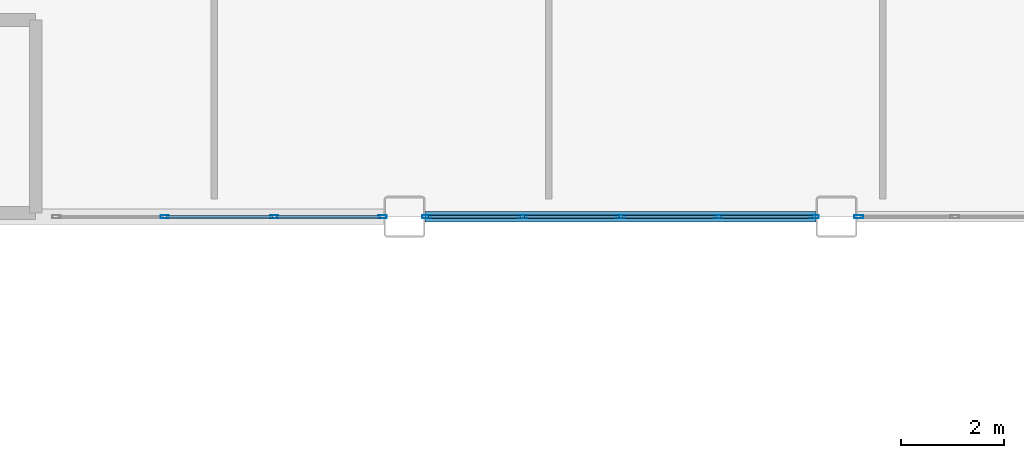
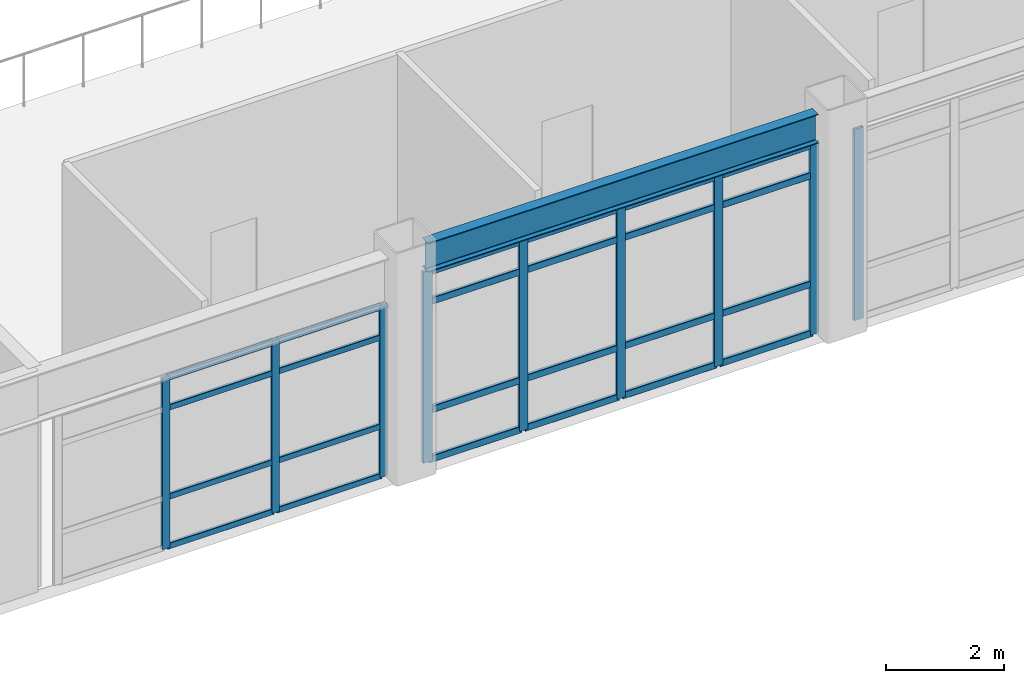
# One storey, part 27 of 154: 33 members, 1 beam, 3 elements without a shape of their own.
"""IFC4 building model written with IfcOpenShell, lengths in metres."""

from ifc_helpers import new_model, si_unit, direction, frame, origin, origin_2d, place, context, subcontext, project, spatial, hollow_rectangle, i_section, extrude, material, layer, layer_set, material_profile, profile_set, type_object, element, aggregate, save


model = new_model("IFC4")

# Units and contexts
model_context = context("Model", 3, precision=1e-05, world=origin(), true_north=direction((0.0, 1.0)))
body_context = subcontext(model_context, "Body", "Model", "MODEL_VIEW")
ifc_project = project(units=[si_unit("LENGTHUNIT", "METRE"), si_unit("AREAUNIT", "SQUARE_METRE"), si_unit("VOLUMEUNIT", "CUBIC_METRE"), si_unit("PLANEANGLEUNIT", "RADIAN"), si_unit("MASSUNIT", "GRAM", prefix="KILO")], contexts=[model_context])

# Site, building, storey
site_placement = place(None, origin())
site = spatial("IfcSite", under=ifc_project, at=site_placement, CompositionType="ELEMENT")
building_placement = place(site_placement, origin())
building = spatial("IfcBuilding", under=site, at=building_placement, Name="Kazehara Bluff Congress Hotel", CompositionType="ELEMENT")
storey_placement = place(building_placement, frame((0.0, 0.0, 10.199951171875)))
storey = spatial("IfcBuildingStorey", under=building, at=storey_placement, Name="L02", CompositionType="ELEMENT", Elevation=10.199951171875)

# Curtain wall, members
ifc_material_1 = material(Name="Anodised aluminium", Category="aluminium")
ifc_layer_1 = layer(ifc_material_1, 0.159912109375)
ifc_layer_set_1 = layer_set([ifc_layer_1], Name="Anodised aluminium")
curtain_wall_type_1 = type_object("IfcCurtainWallType", Name="TP-CW-14", PredefinedType="NOTDEFINED", material=ifc_layer_set_1)
curtain_wall_1_placement = place(storey_placement, origin())
curtain_wall_1 = element("IfcCurtainWall", 1, at=curtain_wall_1_placement, inside=storey, type_object=curtain_wall_type_1, Name="L02 curtain wall CW-14 CW-V1-L02-Y4845-1840", PredefinedType="NOTDEFINED")
ifc_material_2 = material(Name="Anodised aluminium", Category="aluminium")
ifc_material_profile_1 = material_profile(ifc_material_2, hollow_rectangle(XDim=0.06005859375, YDim=0.159912109375, WallThickness=0.00390625, InnerFilletRadius=0.00390625, OuterFilletRadius=0.008056640625, at=origin_2d()))
ifc_profile_set_1 = profile_set([ifc_material_profile_1], Name="Anodised aluminium")
member_type_1 = type_object("IfcMemberType", Name="TP-CWM-01", PredefinedType="MULLION", material=ifc_profile_set_1)
member_1_placement = place(storey_placement, frame((20.533447265625, 48.449951171875, 0.0), z_axis=(0.0, 0.0, 1.0), x_axis=(0.0, 1.0, 0.0)))
member_1 = element("IfcMember", 2, at=member_1_placement, type_object=member_type_1, Name="CW-14 mullion 2", PredefinedType="MULLION", context=body_context, shape_type="SweptSolid", body=[
    extrude(hollow_rectangle(XDim=0.06005859375, YDim=0.159912109375, WallThickness=0.00390625, InnerFilletRadius=0.00390625, OuterFilletRadius=0.008056640625, at=origin_2d()), origin(), (0.0, 0.0, 1.0), 3.53515625),
])
member_2_placement = place(storey_placement, frame((22.666748046875, 48.449951171875, 0.0), z_axis=(0.0, 0.0, 1.0), x_axis=(0.0, 1.0, 0.0)))
member_2 = element("IfcMember", 3, at=member_2_placement, type_object=member_type_1, Name="CW-14 mullion 3", PredefinedType="MULLION", context=body_context, shape_type="SweptSolid", body=[
    extrude(hollow_rectangle(XDim=0.06005859375, YDim=0.159912109375, WallThickness=0.00390625, InnerFilletRadius=0.00390625, OuterFilletRadius=0.008056640625, at=origin_2d()), origin(), (0.0, 0.0, 1.0), 3.53515625),
])
member_3_placement = place(storey_placement, frame((24.77001953125, 48.449951171875, 0.0), z_axis=(0.0, 0.0, 1.0), x_axis=(0.0, 1.0, 0.0)))
member_3 = element("IfcMember", 4, at=member_3_placement, type_object=member_type_1, Name="CW-14 mullion 4", PredefinedType="MULLION", context=body_context, shape_type="SweptSolid", body=[
    extrude(hollow_rectangle(XDim=0.06005859375, YDim=0.159912109375, WallThickness=0.00390625, InnerFilletRadius=0.00390625, OuterFilletRadius=0.008056640625, at=origin_2d()), origin(), (0.0, 0.0, 1.0), 3.53515625),
])

ifc_material_3 = material(Name="Anodised aluminium", Category="aluminium")
ifc_layer_2 = layer(ifc_material_3, 0.159912109375)
ifc_layer_set_2 = layer_set([ifc_layer_2], Name="Anodised aluminium")
curtain_wall_type_2 = type_object("IfcCurtainWallType", Name="TP-CW-15", PredefinedType="NOTDEFINED", material=ifc_layer_set_2)
curtain_wall_2_placement = place(storey_placement, origin())
curtain_wall_2 = element("IfcCurtainWall", 5, at=curtain_wall_2_placement, inside=storey, type_object=curtain_wall_type_2, Name="L02 curtain wall CW-15 CW-V1-L02-Y4845-2560", PredefinedType="NOTDEFINED")
ifc_material_4 = material(Name="Anodised aluminium", Category="aluminium")
ifc_material_profile_2 = material_profile(ifc_material_4, hollow_rectangle(XDim=0.06494140625, YDim=0.179931640625, WallThickness=0.00390625, InnerFilletRadius=0.00390625, OuterFilletRadius=0.008056640625, at=origin_2d()))
ifc_profile_set_2 = profile_set([ifc_material_profile_2], Name="Anodised aluminium")
member_type_2 = type_object("IfcMemberType", Name="TP-CWM-02", PredefinedType="MULLION", material=ifc_profile_set_2)
member_4_placement = place(storey_placement, frame((25.632568359375, 48.449951171875, 0.0), z_axis=(0.0, 0.0, 1.0), x_axis=(0.0, 1.0, 0.0)))
member_4 = element("IfcMember", 6, at=member_4_placement, type_object=member_type_2, Name="CW-15 mullion 1", PredefinedType="MULLION", context=body_context, shape_type="SweptSolid", body=[
    extrude(hollow_rectangle(XDim=0.06494140625, YDim=0.179931640625, WallThickness=0.00390625, InnerFilletRadius=0.00390625, OuterFilletRadius=0.008056640625, at=origin_2d()), origin(), (0.0, 0.0, 1.0), 3.93505859375),
])
member_5_placement = place(storey_placement, frame((27.5, 48.449951171875, 0.0), z_axis=(0.0, 0.0, 1.0), x_axis=(0.0, 1.0, 0.0)))
member_5 = element("IfcMember", 7, at=member_5_placement, type_object=member_type_2, Name="CW-15 mullion 2", PredefinedType="MULLION", context=body_context, shape_type="SweptSolid", body=[
    extrude(hollow_rectangle(XDim=0.06494140625, YDim=0.179931640625, WallThickness=0.00390625, InnerFilletRadius=0.00390625, OuterFilletRadius=0.008056640625, at=origin_2d()), origin(), (0.0, 0.0, 1.0), 3.93505859375),
])
member_6_placement = place(storey_placement, frame((29.39990234375, 48.449951171875, 0.0), z_axis=(0.0, 0.0, 1.0), x_axis=(0.0, 1.0, 0.0)))
member_6 = element("IfcMember", 8, at=member_6_placement, type_object=member_type_2, Name="CW-15 mullion 3", PredefinedType="MULLION", context=body_context, shape_type="SweptSolid", body=[
    extrude(hollow_rectangle(XDim=0.06494140625, YDim=0.179931640625, WallThickness=0.00390625, InnerFilletRadius=0.00390625, OuterFilletRadius=0.008056640625, at=origin_2d()), origin(), (0.0, 0.0, 1.0), 3.93505859375),
])
member_7_placement = place(storey_placement, frame((31.300048828125, 48.449951171875, 0.0), z_axis=(0.0, 0.0, 1.0), x_axis=(0.0, 1.0, 0.0)))
member_7 = element("IfcMember", 9, at=member_7_placement, type_object=member_type_2, Name="CW-15 mullion 4", PredefinedType="MULLION", context=body_context, shape_type="SweptSolid", body=[
    extrude(hollow_rectangle(XDim=0.06494140625, YDim=0.179931640625, WallThickness=0.00390625, InnerFilletRadius=0.00390625, OuterFilletRadius=0.008056640625, at=origin_2d()), origin(), (0.0, 0.0, 1.0), 3.93505859375),
])
member_8_placement = place(storey_placement, frame((33.16748046875, 48.449951171875, 0.0), z_axis=(0.0, 0.0, 1.0), x_axis=(0.0, 1.0, 0.0)))
member_8 = element("IfcMember", 10, at=member_8_placement, type_object=member_type_2, Name="CW-15 mullion 5", PredefinedType="MULLION", context=body_context, shape_type="SweptSolid", body=[
    extrude(hollow_rectangle(XDim=0.06494140625, YDim=0.179931640625, WallThickness=0.00390625, InnerFilletRadius=0.00390625, OuterFilletRadius=0.008056640625, at=origin_2d()), origin(), (0.0, 0.0, 1.0), 3.93505859375),
])

# Curtain wall, member
curtain_wall_3_placement = place(storey_placement, origin())
curtain_wall_3 = element("IfcCurtainWall", 11, at=curtain_wall_3_placement, inside=storey, type_object=curtain_wall_type_2, Name="L02 curtain wall CW-15 CW-V1-L02-Y4845-3400", PredefinedType="NOTDEFINED")
member_9_placement = place(storey_placement, frame((34.032470703125, 48.449951171875, 0.0), z_axis=(0.0, 0.0, 1.0), x_axis=(0.0, 1.0, 0.0)))
member_9 = element("IfcMember", 12, at=member_9_placement, type_object=member_type_2, Name="CW-15 mullion 1", PredefinedType="MULLION", context=body_context, shape_type="SweptSolid", body=[
    extrude(hollow_rectangle(XDim=0.06494140625, YDim=0.179931640625, WallThickness=0.00390625, InnerFilletRadius=0.00390625, OuterFilletRadius=0.008056640625, at=origin_2d()), origin(), (0.0, 0.0, 1.0), 3.93505859375),
])
aggregate(curtain_wall_3, [member_9])

# Member
ifc_material_5 = material(Name="Anodised aluminium", Category="aluminium")
ifc_material_profile_3 = material_profile(ifc_material_5, hollow_rectangle(XDim=0.06005859375, YDim=0.1201171875, WallThickness=0.00390625, InnerFilletRadius=0.00390625, OuterFilletRadius=0.008056640625, at=origin_2d()))
ifc_profile_set_3 = profile_set([ifc_material_profile_3], Name="Anodised aluminium")
member_type_3 = type_object("IfcMemberType", Name="TP-CWT-01", PredefinedType="USERDEFINED", material=ifc_profile_set_3)
member_10_placement = place(storey_placement, frame((20.563232421875, 48.449951171875, 0.030029296875), z_axis=(1.0, 0.0, 0.0), x_axis=(0.0, 1.0, 0.0)))
member_10 = element("IfcMember", 13, at=member_10_placement, type_object=member_type_3, Name="CW-14 transom 2.1", ObjectType="TRANSOM", PredefinedType="USERDEFINED", context=body_context, shape_type="SweptSolid", body=[
    extrude(hollow_rectangle(XDim=0.06005859375, YDim=0.1201171875, WallThickness=0.00390625, InnerFilletRadius=0.00390625, OuterFilletRadius=0.008056640625, at=origin_2d()), origin(), (0.0, 0.0, 1.0), 2.073486328125),
])

member_11_placement = place(storey_placement, frame((20.563232421875, 48.449951171875, 1.050048828125), z_axis=(1.0, 0.0, 0.0), x_axis=(0.0, 1.0, 0.0)))
member_11 = element("IfcMember", 14, at=member_11_placement, type_object=member_type_3, Name="CW-14 transom 2.2", ObjectType="TRANSOM", PredefinedType="USERDEFINED", context=body_context, shape_type="SweptSolid", body=[
    extrude(hollow_rectangle(XDim=0.06005859375, YDim=0.1201171875, WallThickness=0.00390625, InnerFilletRadius=0.00390625, OuterFilletRadius=0.008056640625, at=origin_2d()), origin(), (0.0, 0.0, 1.0), 2.073486328125),
])

member_12_placement = place(storey_placement, frame((20.563232421875, 48.449951171875, 2.885009765625), z_axis=(1.0, 0.0, 0.0), x_axis=(0.0, 1.0, 0.0)))
member_12 = element("IfcMember", 15, at=member_12_placement, type_object=member_type_3, Name="CW-14 transom 2.3", ObjectType="TRANSOM", PredefinedType="USERDEFINED", context=body_context, shape_type="SweptSolid", body=[
    extrude(hollow_rectangle(XDim=0.06005859375, YDim=0.1201171875, WallThickness=0.00390625, InnerFilletRadius=0.00390625, OuterFilletRadius=0.008056640625, at=origin_2d()), origin(), (0.0, 0.0, 1.0), 2.073486328125),
])

member_13_placement = place(storey_placement, frame((20.563232421875, 48.449951171875, 3.505126953125), z_axis=(1.0, 0.0, 0.0), x_axis=(0.0, 1.0, 0.0)))
member_13 = element("IfcMember", 16, at=member_13_placement, type_object=member_type_3, Name="CW-14 transom 2.4", ObjectType="TRANSOM", PredefinedType="USERDEFINED", context=body_context, shape_type="SweptSolid", body=[
    extrude(hollow_rectangle(XDim=0.06005859375, YDim=0.1201171875, WallThickness=0.00390625, InnerFilletRadius=0.00390625, OuterFilletRadius=0.008056640625, at=origin_2d()), origin(), (0.0, 0.0, 1.0), 2.073486328125),
])

member_14_placement = place(storey_placement, frame((22.69677734375, 48.449951171875, 0.030029296875), z_axis=(1.0, 0.0, 0.0), x_axis=(0.0, 1.0, 0.0)))
member_14 = element("IfcMember", 17, at=member_14_placement, type_object=member_type_3, Name="CW-14 transom 3.1", ObjectType="TRANSOM", PredefinedType="USERDEFINED", context=body_context, shape_type="SweptSolid", body=[
    extrude(hollow_rectangle(XDim=0.06005859375, YDim=0.1201171875, WallThickness=0.00390625, InnerFilletRadius=0.00390625, OuterFilletRadius=0.008056640625, at=origin_2d()), origin(), (0.0, 0.0, 1.0), 2.043212890625),
])

member_15_placement = place(storey_placement, frame((22.69677734375, 48.449951171875, 1.050048828125), z_axis=(1.0, 0.0, 0.0), x_axis=(0.0, 1.0, 0.0)))
member_15 = element("IfcMember", 18, at=member_15_placement, type_object=member_type_3, Name="CW-14 transom 3.2", ObjectType="TRANSOM", PredefinedType="USERDEFINED", context=body_context, shape_type="SweptSolid", body=[
    extrude(hollow_rectangle(XDim=0.06005859375, YDim=0.1201171875, WallThickness=0.00390625, InnerFilletRadius=0.00390625, OuterFilletRadius=0.008056640625, at=origin_2d()), origin(), (0.0, 0.0, 1.0), 2.043212890625),
])

member_16_placement = place(storey_placement, frame((22.69677734375, 48.449951171875, 2.885009765625), z_axis=(1.0, 0.0, 0.0), x_axis=(0.0, 1.0, 0.0)))
member_16 = element("IfcMember", 19, at=member_16_placement, type_object=member_type_3, Name="CW-14 transom 3.3", ObjectType="TRANSOM", PredefinedType="USERDEFINED", context=body_context, shape_type="SweptSolid", body=[
    extrude(hollow_rectangle(XDim=0.06005859375, YDim=0.1201171875, WallThickness=0.00390625, InnerFilletRadius=0.00390625, OuterFilletRadius=0.008056640625, at=origin_2d()), origin(), (0.0, 0.0, 1.0), 2.043212890625),
])

member_17_placement = place(storey_placement, frame((22.69677734375, 48.449951171875, 3.505126953125), z_axis=(1.0, 0.0, 0.0), x_axis=(0.0, 1.0, 0.0)))
member_17 = element("IfcMember", 20, at=member_17_placement, type_object=member_type_3, Name="CW-14 transom 3.4", ObjectType="TRANSOM", PredefinedType="USERDEFINED", context=body_context, shape_type="SweptSolid", body=[
    extrude(hollow_rectangle(XDim=0.06005859375, YDim=0.1201171875, WallThickness=0.00390625, InnerFilletRadius=0.00390625, OuterFilletRadius=0.008056640625, at=origin_2d()), origin(), (0.0, 0.0, 1.0), 2.043212890625),
])

aggregate(curtain_wall_1, [member_1, member_2, member_3, member_10, member_11, member_12, member_13, member_14, member_15, member_16, member_17])

ifc_material_6 = material(Name="Anodised aluminium", Category="aluminium")
ifc_material_profile_4 = material_profile(ifc_material_6, hollow_rectangle(XDim=0.06494140625, YDim=0.139892578125, WallThickness=0.00390625, InnerFilletRadius=0.00390625, OuterFilletRadius=0.008056640625, at=origin_2d()))
ifc_profile_set_4 = profile_set([ifc_material_profile_4], Name="Anodised aluminium")
member_type_4 = type_object("IfcMemberType", Name="TP-CWT-02", PredefinedType="USERDEFINED", material=ifc_profile_set_4)
member_18_placement = place(storey_placement, frame((25.6650390625, 48.449951171875, 0.032470703125), z_axis=(1.0, 0.0, 0.0), x_axis=(0.0, 1.0, 0.0)))
member_18 = element("IfcMember", 21, at=member_18_placement, type_object=member_type_4, Name="CW-15 transom 1.1", ObjectType="TRANSOM", PredefinedType="USERDEFINED", context=body_context, shape_type="SweptSolid", body=[
    extrude(hollow_rectangle(XDim=0.06494140625, YDim=0.139892578125, WallThickness=0.00390625, InnerFilletRadius=0.00390625, OuterFilletRadius=0.008056640625, at=origin_2d()), origin(), (0.0, 0.0, 1.0), 1.802490234375),
])

member_19_placement = place(storey_placement, frame((25.6650390625, 48.449951171875, 1.050048828125), z_axis=(1.0, 0.0, 0.0), x_axis=(0.0, 1.0, 0.0)))
member_19 = element("IfcMember", 22, at=member_19_placement, type_object=member_type_4, Name="CW-15 transom 1.2", ObjectType="TRANSOM", PredefinedType="USERDEFINED", context=body_context, shape_type="SweptSolid", body=[
    extrude(hollow_rectangle(XDim=0.06494140625, YDim=0.139892578125, WallThickness=0.00390625, InnerFilletRadius=0.00390625, OuterFilletRadius=0.008056640625, at=origin_2d()), origin(), (0.0, 0.0, 1.0), 1.802490234375),
])

member_20_placement = place(storey_placement, frame((25.6650390625, 48.449951171875, 3.28515625), z_axis=(1.0, 0.0, 0.0), x_axis=(0.0, 1.0, 0.0)))
member_20 = element("IfcMember", 23, at=member_20_placement, type_object=member_type_4, Name="CW-15 transom 1.3", ObjectType="TRANSOM", PredefinedType="USERDEFINED", context=body_context, shape_type="SweptSolid", body=[
    extrude(hollow_rectangle(XDim=0.06494140625, YDim=0.139892578125, WallThickness=0.00390625, InnerFilletRadius=0.00390625, OuterFilletRadius=0.008056640625, at=origin_2d()), origin(), (0.0, 0.0, 1.0), 1.802490234375),
])

member_21_placement = place(storey_placement, frame((25.6650390625, 48.449951171875, 3.902587890625), z_axis=(1.0, 0.0, 0.0), x_axis=(0.0, 1.0, 0.0)))
member_21 = element("IfcMember", 24, at=member_21_placement, type_object=member_type_4, Name="CW-15 transom 1.4", ObjectType="TRANSOM", PredefinedType="USERDEFINED", context=body_context, shape_type="SweptSolid", body=[
    extrude(hollow_rectangle(XDim=0.06494140625, YDim=0.139892578125, WallThickness=0.00390625, InnerFilletRadius=0.00390625, OuterFilletRadius=0.008056640625, at=origin_2d()), origin(), (0.0, 0.0, 1.0), 1.802490234375),
])

member_22_placement = place(storey_placement, frame((27.532470703125, 48.449951171875, 0.032470703125), z_axis=(1.0, 0.0, 0.0), x_axis=(0.0, 1.0, 0.0)))
member_22 = element("IfcMember", 25, at=member_22_placement, type_object=member_type_4, Name="CW-15 transom 2.1", ObjectType="TRANSOM", PredefinedType="USERDEFINED", context=body_context, shape_type="SweptSolid", body=[
    extrude(hollow_rectangle(XDim=0.06494140625, YDim=0.139892578125, WallThickness=0.00390625, InnerFilletRadius=0.00390625, OuterFilletRadius=0.008056640625, at=origin_2d()), origin(), (0.0, 0.0, 1.0), 1.8349609375),
])

member_23_placement = place(storey_placement, frame((27.532470703125, 48.449951171875, 1.050048828125), z_axis=(1.0, 0.0, 0.0), x_axis=(0.0, 1.0, 0.0)))
member_23 = element("IfcMember", 26, at=member_23_placement, type_object=member_type_4, Name="CW-15 transom 2.2", ObjectType="TRANSOM", PredefinedType="USERDEFINED", context=body_context, shape_type="SweptSolid", body=[
    extrude(hollow_rectangle(XDim=0.06494140625, YDim=0.139892578125, WallThickness=0.00390625, InnerFilletRadius=0.00390625, OuterFilletRadius=0.008056640625, at=origin_2d()), origin(), (0.0, 0.0, 1.0), 1.8349609375),
])

member_24_placement = place(storey_placement, frame((27.532470703125, 48.449951171875, 3.28515625), z_axis=(1.0, 0.0, 0.0), x_axis=(0.0, 1.0, 0.0)))
member_24 = element("IfcMember", 27, at=member_24_placement, type_object=member_type_4, Name="CW-15 transom 2.3", ObjectType="TRANSOM", PredefinedType="USERDEFINED", context=body_context, shape_type="SweptSolid", body=[
    extrude(hollow_rectangle(XDim=0.06494140625, YDim=0.139892578125, WallThickness=0.00390625, InnerFilletRadius=0.00390625, OuterFilletRadius=0.008056640625, at=origin_2d()), origin(), (0.0, 0.0, 1.0), 1.8349609375),
])

member_25_placement = place(storey_placement, frame((27.532470703125, 48.449951171875, 3.902587890625), z_axis=(1.0, 0.0, 0.0), x_axis=(0.0, 1.0, 0.0)))
member_25 = element("IfcMember", 28, at=member_25_placement, type_object=member_type_4, Name="CW-15 transom 2.4", ObjectType="TRANSOM", PredefinedType="USERDEFINED", context=body_context, shape_type="SweptSolid", body=[
    extrude(hollow_rectangle(XDim=0.06494140625, YDim=0.139892578125, WallThickness=0.00390625, InnerFilletRadius=0.00390625, OuterFilletRadius=0.008056640625, at=origin_2d()), origin(), (0.0, 0.0, 1.0), 1.8349609375),
])

member_26_placement = place(storey_placement, frame((29.4326171875, 48.449951171875, 0.032470703125), z_axis=(1.0, 0.0, 0.0), x_axis=(0.0, 1.0, 0.0)))
member_26 = element("IfcMember", 29, at=member_26_placement, type_object=member_type_4, Name="CW-15 transom 3.1", ObjectType="TRANSOM", PredefinedType="USERDEFINED", context=body_context, shape_type="SweptSolid", body=[
    extrude(hollow_rectangle(XDim=0.06494140625, YDim=0.139892578125, WallThickness=0.00390625, InnerFilletRadius=0.00390625, OuterFilletRadius=0.008056640625, at=origin_2d()), origin(), (0.0, 0.0, 1.0), 1.8349609375),
])

member_27_placement = place(storey_placement, frame((29.4326171875, 48.449951171875, 1.050048828125), z_axis=(1.0, 0.0, 0.0), x_axis=(0.0, 1.0, 0.0)))
member_27 = element("IfcMember", 30, at=member_27_placement, type_object=member_type_4, Name="CW-15 transom 3.2", ObjectType="TRANSOM", PredefinedType="USERDEFINED", context=body_context, shape_type="SweptSolid", body=[
    extrude(hollow_rectangle(XDim=0.06494140625, YDim=0.139892578125, WallThickness=0.00390625, InnerFilletRadius=0.00390625, OuterFilletRadius=0.008056640625, at=origin_2d()), origin(), (0.0, 0.0, 1.0), 1.8349609375),
])

member_28_placement = place(storey_placement, frame((29.4326171875, 48.449951171875, 3.28515625), z_axis=(1.0, 0.0, 0.0), x_axis=(0.0, 1.0, 0.0)))
member_28 = element("IfcMember", 31, at=member_28_placement, type_object=member_type_4, Name="CW-15 transom 3.3", ObjectType="TRANSOM", PredefinedType="USERDEFINED", context=body_context, shape_type="SweptSolid", body=[
    extrude(hollow_rectangle(XDim=0.06494140625, YDim=0.139892578125, WallThickness=0.00390625, InnerFilletRadius=0.00390625, OuterFilletRadius=0.008056640625, at=origin_2d()), origin(), (0.0, 0.0, 1.0), 1.8349609375),
])

member_29_placement = place(storey_placement, frame((29.4326171875, 48.449951171875, 3.902587890625), z_axis=(1.0, 0.0, 0.0), x_axis=(0.0, 1.0, 0.0)))
member_29 = element("IfcMember", 32, at=member_29_placement, type_object=member_type_4, Name="CW-15 transom 3.4", ObjectType="TRANSOM", PredefinedType="USERDEFINED", context=body_context, shape_type="SweptSolid", body=[
    extrude(hollow_rectangle(XDim=0.06494140625, YDim=0.139892578125, WallThickness=0.00390625, InnerFilletRadius=0.00390625, OuterFilletRadius=0.008056640625, at=origin_2d()), origin(), (0.0, 0.0, 1.0), 1.8349609375),
])

member_30_placement = place(storey_placement, frame((31.33251953125, 48.449951171875, 0.032470703125), z_axis=(1.0, 0.0, 0.0), x_axis=(0.0, 1.0, 0.0)))
member_30 = element("IfcMember", 33, at=member_30_placement, type_object=member_type_4, Name="CW-15 transom 4.1", ObjectType="TRANSOM", PredefinedType="USERDEFINED", context=body_context, shape_type="SweptSolid", body=[
    extrude(hollow_rectangle(XDim=0.06494140625, YDim=0.139892578125, WallThickness=0.00390625, InnerFilletRadius=0.00390625, OuterFilletRadius=0.008056640625, at=origin_2d()), origin(), (0.0, 0.0, 1.0), 1.802490234375),
])

member_31_placement = place(storey_placement, frame((31.33251953125, 48.449951171875, 1.050048828125), z_axis=(1.0, 0.0, 0.0), x_axis=(0.0, 1.0, 0.0)))
member_31 = element("IfcMember", 34, at=member_31_placement, type_object=member_type_4, Name="CW-15 transom 4.2", ObjectType="TRANSOM", PredefinedType="USERDEFINED", context=body_context, shape_type="SweptSolid", body=[
    extrude(hollow_rectangle(XDim=0.06494140625, YDim=0.139892578125, WallThickness=0.00390625, InnerFilletRadius=0.00390625, OuterFilletRadius=0.008056640625, at=origin_2d()), origin(), (0.0, 0.0, 1.0), 1.802490234375),
])

member_32_placement = place(storey_placement, frame((31.33251953125, 48.449951171875, 3.28515625), z_axis=(1.0, 0.0, 0.0), x_axis=(0.0, 1.0, 0.0)))
member_32 = element("IfcMember", 35, at=member_32_placement, type_object=member_type_4, Name="CW-15 transom 4.3", ObjectType="TRANSOM", PredefinedType="USERDEFINED", context=body_context, shape_type="SweptSolid", body=[
    extrude(hollow_rectangle(XDim=0.06494140625, YDim=0.139892578125, WallThickness=0.00390625, InnerFilletRadius=0.00390625, OuterFilletRadius=0.008056640625, at=origin_2d()), origin(), (0.0, 0.0, 1.0), 1.802490234375),
])

member_33_placement = place(storey_placement, frame((31.33251953125, 48.449951171875, 3.902587890625), z_axis=(1.0, 0.0, 0.0), x_axis=(0.0, 1.0, 0.0)))
member_33 = element("IfcMember", 36, at=member_33_placement, type_object=member_type_4, Name="CW-15 transom 4.4", ObjectType="TRANSOM", PredefinedType="USERDEFINED", context=body_context, shape_type="SweptSolid", body=[
    extrude(hollow_rectangle(XDim=0.06494140625, YDim=0.139892578125, WallThickness=0.00390625, InnerFilletRadius=0.00390625, OuterFilletRadius=0.008056640625, at=origin_2d()), origin(), (0.0, 0.0, 1.0), 1.802490234375),
])

aggregate(curtain_wall_2, [member_4, member_5, member_6, member_7, member_8, member_18, member_19, member_20, member_21, member_22, member_23, member_24, member_25, member_26, member_27, member_28, member_29, member_30, member_31, member_32, member_33])

# Beam
ifc_material_7 = material(Name="Steel SN490B", Category="steel")
ifc_material_profile_5 = material_profile(ifc_material_7, i_section(OverallWidth=0.199951171875, OverallDepth=0.60009765625, WebThickness=0.010986328125, FlangeThickness=0.01708984375, FilletRadius=0.012939453125, at=origin_2d()))
ifc_profile_set_5 = profile_set([ifc_material_profile_5], Name="Steel SN490B")
beam_type = type_object("IfcBeamType", Name="TP-SP-02", PredefinedType="SPANDREL", material=ifc_profile_set_5)
beam_placement = place(storey_placement, frame((25.60009765625, 48.449951171875, 4.260009765625), z_axis=(1.0, 0.0, 0.0), x_axis=(0.0, 1.0, 0.0)))
element("IfcBeam", 37, at=beam_placement, inside=storey, type_object=beam_type, Name="L02 girder SP-02 27", PredefinedType="SPANDREL", context=body_context, shape_type="SweptSolid", body=[
    extrude(i_section(OverallWidth=0.199951171875, OverallDepth=0.60009765625, WebThickness=0.010986328125, FlangeThickness=0.01708984375, FilletRadius=0.012939453125, at=origin_2d()), origin(), (0.0, 0.0, 1.0), 7.599853515625),
])

save(model, "model.ifc")
